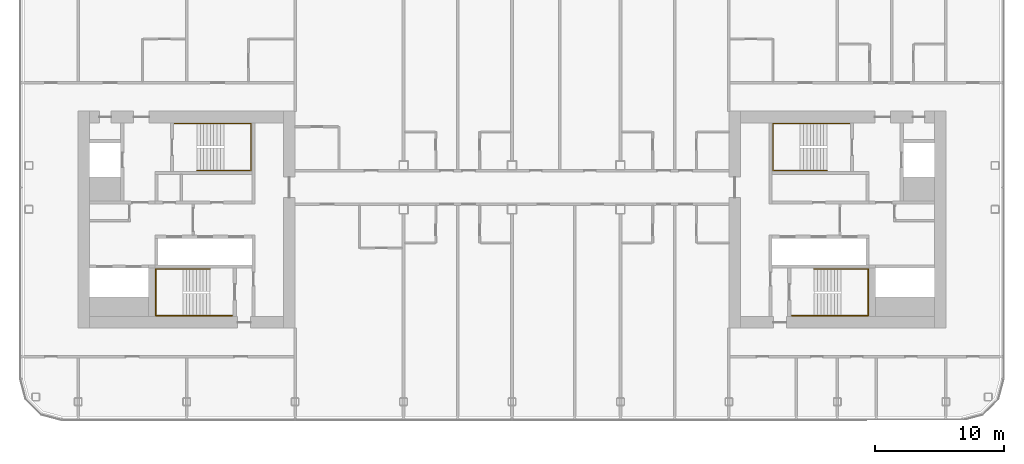
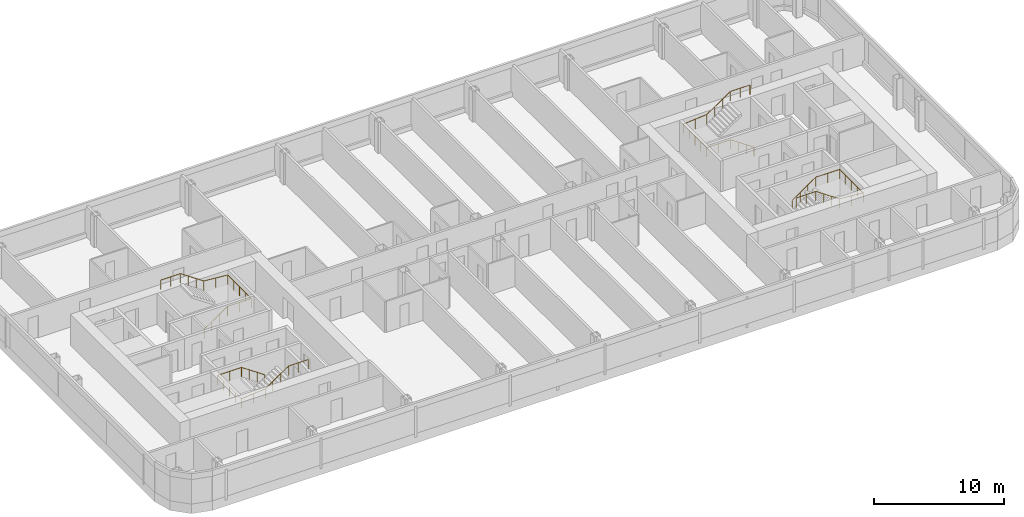
# One storey, part 26 of 26: 4 railings.
"""IFC4 building model written with IfcOpenShell, lengths in metres."""

from ifc_helpers import new_model, si_unit, direction, frame, origin, origin_2d, place, context, subcontext, project, spatial, circle, extrude, material, type_object, element, save


model = new_model("IFC4")

# Units and contexts
model_context = context("Model", 3, precision=1e-05, world=origin(), true_north=direction((0.0, 1.0)))
body_context = subcontext(model_context, "Body", "Model", "MODEL_VIEW")
ifc_project = project(units=[si_unit("LENGTHUNIT", "METRE"), si_unit("AREAUNIT", "SQUARE_METRE"), si_unit("VOLUMEUNIT", "CUBIC_METRE"), si_unit("PLANEANGLEUNIT", "RADIAN"), si_unit("MASSUNIT", "GRAM", prefix="KILO")], contexts=[model_context])

# Site, building, storey
site_placement = place(None, origin())
site = spatial("IfcSite", under=ifc_project, at=site_placement, CompositionType="ELEMENT")
building_placement = place(site_placement, origin())
building = spatial("IfcBuilding", under=site, at=building_placement, Name="Hakoniwa Tower and Hamabe Station Hall", CompositionType="ELEMENT")
storey_placement = place(building_placement, frame((0.0, 0.0, 225.0)))
storey = spatial("IfcBuildingStorey", under=building, at=storey_placement, Name="L64", CompositionType="ELEMENT", Elevation=225.0)

# Railings
ifc_material = material(Name="Stainless steel SUS304", Category="steel")
railing_type = type_object("IfcRailingType", Name="STAIR HANDRAIL 900", PredefinedType="HANDRAIL", material=ifc_material)
railing_1_placement = place(storey_placement, frame((-24.39990234375, 3.81005859375, 0.177734375)))
element("IfcRailing", 1, at=railing_1_placement, inside=storey, type_object=railing_type, Name="Handrail ST-1 L64 1", PredefinedType="HANDRAIL", context=body_context, shape_type="SweptSolid", body=[
    extrude(circle(Radius=0.02392578125, at=origin_2d()), frame((0.0, 0.0, 0.8759765625), z_axis=(0.825433201882, 0.0, 0.564499804456), x_axis=(0.0, 1.0, 0.0)), (0.0, 0.0, 1.0), 2.519775390625),
    extrude(circle(Radius=0.02392578125, at=origin_2d()), frame((2.079833984375, 0.0, 2.29833984375), z_axis=(1.0, 0.0, 0.0), x_axis=(0.0, 1.0, 0.0)), (0.0, 0.0, 1.0), 2.110107421875),
    extrude(circle(Radius=0.02392578125, at=origin_2d()), frame((4.18994140625, 0.0, 2.29833984375), z_axis=(0.0, 1.0, 0.0), x_axis=(-1.0, 0.0, 0.0)), (0.0, 0.0, 1.0), 3.6298828125),
    extrude(circle(Radius=0.02392578125, at=origin_2d()), frame((4.18994140625, 3.6298828125, 2.29833984375), z_axis=(-0.996471417081, 0.0, 0.083932800143), x_axis=(0.0, -1.0, 0.0)), (0.0, 0.0, 1.0), 2.11767578125),
    extrude(circle(Radius=0.02392578125, at=origin_2d()), frame((2.079833984375, 3.6298828125, 2.47607421875), z_axis=(-0.825478349766, 0.0, 0.564433781827), x_axis=(0.0, -1.0, 0.0)), (0.0, 0.0, 1.0), 2.51953125),
    extrude(circle(Radius=0.02392578125, at=origin_2d()), frame((0.0, 3.6298828125, 3.89794921875), z_axis=(-1.0, 0.0, 0.0), x_axis=(0.0, -1.0, 0.0)), (0.0, 0.0, 1.0), 1.739990234375),
    extrude(circle(Radius=0.02099609375, at=origin_2d()), origin(), (0.0, 0.0, 1.0), 0.851806640625),
    extrude(circle(Radius=0.02099609375, at=origin_2d()), frame((0.693359375, 0.0, 0.47412109375)), (0.0, 0.0, 1.0), 0.851806640625),
    extrude(circle(Radius=0.02099609375, at=origin_2d()), frame((1.386474609375, 0.0, 0.9482421875)), (0.0, 0.0, 1.0), 0.851806640625),
    extrude(circle(Radius=0.02099609375, at=origin_2d()), frame((2.079833984375, 0.0, 1.42236328125)), (0.0, 0.0, 1.0), 0.851806640625),
    extrude(circle(Radius=0.02099609375, at=origin_2d()), frame((3.134765625, 0.0, 1.42236328125)), (0.0, 0.0, 1.0), 0.851806640625),
    extrude(circle(Radius=0.02099609375, at=origin_2d()), frame((4.18994140625, 0.0, 1.42236328125)), (0.0, 0.0, 1.0), 0.851806640625),
    extrude(circle(Radius=0.02099609375, at=origin_2d()), frame((4.18994140625, 0.907470703125, 1.42236328125)), (0.0, 0.0, 1.0), 0.851806640625),
    extrude(circle(Radius=0.02099609375, at=origin_2d()), frame((4.18994140625, 1.81494140625, 1.42236328125)), (0.0, 0.0, 1.0), 0.851806640625),
    extrude(circle(Radius=0.02099609375, at=origin_2d()), frame((4.18994140625, 2.722412109375, 1.42236328125)), (0.0, 0.0, 1.0), 0.851806640625),
    extrude(circle(Radius=0.02099609375, at=origin_2d()), frame((4.18994140625, 3.6298828125, 1.42236328125)), (0.0, 0.0, 1.0), 0.851806640625),
    extrude(circle(Radius=0.02099609375, at=origin_2d()), frame((3.134765625, 3.6298828125, 1.51123046875)), (0.0, 0.0, 1.0), 0.851806640625),
    extrude(circle(Radius=0.02099609375, at=origin_2d()), frame((2.079833984375, 3.6298828125, 1.60009765625)), (0.0, 0.0, 1.0), 0.851806640625),
    extrude(circle(Radius=0.02099609375, at=origin_2d()), frame((1.386474609375, 3.6298828125, 2.07421875)), (0.0, 0.0, 1.0), 0.851806640625),
    extrude(circle(Radius=0.02099609375, at=origin_2d()), frame((0.693359375, 3.6298828125, 2.548095703125)), (0.0, 0.0, 1.0), 0.851806640625),
    extrude(circle(Radius=0.02099609375, at=origin_2d()), frame((0.0, 3.6298828125, 3.022216796875)), (0.0, 0.0, 1.0), 0.851806640625),
    extrude(circle(Radius=0.02099609375, at=origin_2d()), frame((-0.8701171875, 3.6298828125, 3.022216796875)), (0.0, 0.0, 1.0), 0.851806640625),
    extrude(circle(Radius=0.02099609375, at=origin_2d()), frame((-1.739990234375, 3.6298828125, 3.022216796875)), (0.0, 0.0, 1.0), 0.851806640625),
])
railing_2_placement = place(storey_placement, frame((-23.39990234375, -3.81005859375, 0.177734375)))
element("IfcRailing", 2, at=railing_2_placement, inside=storey, type_object=railing_type, Name="Handrail ST-2 L64 1", PredefinedType="HANDRAIL", context=body_context, shape_type="SweptSolid", body=[
    extrude(circle(Radius=0.02392578125, at=origin_2d()), frame((0.0, 0.0, 0.8759765625), z_axis=(-0.825464074169, 0.0, 0.564454659168), x_axis=(0.0, -1.0, 0.0)), (0.0, 0.0, 1.0), 2.519775390625),
    extrude(circle(Radius=0.02392578125, at=origin_2d()), frame((-2.080078125, 0.0, 2.29833984375), z_axis=(-1.0, 0.0, 0.0), x_axis=(0.0, -1.0, 0.0)), (0.0, 0.0, 1.0), 2.110107421875),
    extrude(circle(Radius=0.02392578125, at=origin_2d()), frame((-4.190185546875, 0.0, 2.29833984375), z_axis=(0.0, -1.0, 0.0), x_axis=(1.0, 0.0, 0.0)), (0.0, 0.0, 1.0), 3.6298828125),
    extrude(circle(Radius=0.02392578125, at=origin_2d()), frame((-4.190185546875, -3.6298828125, 2.29833984375), z_axis=(0.996471417081, 0.0, 0.083932800143), x_axis=(0.0, 1.0, 0.0)), (0.0, 0.0, 1.0), 2.11767578125),
    extrude(circle(Radius=0.02392578125, at=origin_2d()), frame((-2.080078125, -3.6298828125, 2.47607421875), z_axis=(0.82550921652, 0.0, 0.564388636881), x_axis=(0.0, 1.0, 0.0)), (0.0, 0.0, 1.0), 2.519775390625),
    extrude(circle(Radius=0.02392578125, at=origin_2d()), frame((0.0, -3.6298828125, 3.89794921875), z_axis=(1.0, 0.0, 0.0), x_axis=(0.0, 1.0, 0.0)), (0.0, 0.0, 1.0), 1.739990234375),
    extrude(circle(Radius=0.02099609375, at=origin_2d()), origin(), (0.0, 0.0, 1.0), 0.851806640625),
    extrude(circle(Radius=0.02099609375, at=origin_2d()), frame((-0.693359375, 0.0, 0.47412109375)), (0.0, 0.0, 1.0), 0.851806640625),
    extrude(circle(Radius=0.02099609375, at=origin_2d()), frame((-1.38671875, 0.0, 0.9482421875)), (0.0, 0.0, 1.0), 0.851806640625),
    extrude(circle(Radius=0.02099609375, at=origin_2d()), frame((-2.080078125, 0.0, 1.42236328125)), (0.0, 0.0, 1.0), 0.851806640625),
    extrude(circle(Radius=0.02099609375, at=origin_2d()), frame((-3.13525390625, 0.0, 1.42236328125)), (0.0, 0.0, 1.0), 0.851806640625),
    extrude(circle(Radius=0.02099609375, at=origin_2d()), frame((-4.190185546875, 0.0, 1.42236328125)), (0.0, 0.0, 1.0), 0.851806640625),
    extrude(circle(Radius=0.02099609375, at=origin_2d()), frame((-4.190185546875, -0.907470703125, 1.42236328125)), (0.0, 0.0, 1.0), 0.851806640625),
    extrude(circle(Radius=0.02099609375, at=origin_2d()), frame((-4.190185546875, -1.81494140625, 1.42236328125)), (0.0, 0.0, 1.0), 0.851806640625),
    extrude(circle(Radius=0.02099609375, at=origin_2d()), frame((-4.190185546875, -2.722412109375, 1.42236328125)), (0.0, 0.0, 1.0), 0.851806640625),
    extrude(circle(Radius=0.02099609375, at=origin_2d()), frame((-4.190185546875, -3.6298828125, 1.42236328125)), (0.0, 0.0, 1.0), 0.851806640625),
    extrude(circle(Radius=0.02099609375, at=origin_2d()), frame((-3.13525390625, -3.6298828125, 1.51123046875)), (0.0, 0.0, 1.0), 0.851806640625),
    extrude(circle(Radius=0.02099609375, at=origin_2d()), frame((-2.080078125, -3.6298828125, 1.60009765625)), (0.0, 0.0, 1.0), 0.851806640625),
    extrude(circle(Radius=0.02099609375, at=origin_2d()), frame((-1.38671875, -3.6298828125, 2.07421875)), (0.0, 0.0, 1.0), 0.851806640625),
    extrude(circle(Radius=0.02099609375, at=origin_2d()), frame((-0.693359375, -3.6298828125, 2.548095703125)), (0.0, 0.0, 1.0), 0.851806640625),
    extrude(circle(Radius=0.02099609375, at=origin_2d()), frame((0.0, -3.6298828125, 3.022216796875)), (0.0, 0.0, 1.0), 0.851806640625),
    extrude(circle(Radius=0.02099609375, at=origin_2d()), frame((0.8701171875, -3.6298828125, 3.022216796875)), (0.0, 0.0, 1.0), 0.851806640625),
    extrude(circle(Radius=0.02099609375, at=origin_2d()), frame((1.739990234375, -3.6298828125, 3.022216796875)), (0.0, 0.0, 1.0), 0.851806640625),
])
railing_3_placement = place(storey_placement, frame((24.39990234375, 3.81005859375, 0.177734375)))
element("IfcRailing", 3, at=railing_3_placement, inside=storey, type_object=railing_type, Name="Handrail ST-3 L64 1", PredefinedType="HANDRAIL", context=body_context, shape_type="SweptSolid", body=[
    extrude(circle(Radius=0.02392578125, at=origin_2d()), frame((0.0, 0.0, 0.8759765625), z_axis=(-0.825433201882, 0.0, 0.564499804456), x_axis=(0.0, -1.0, 0.0)), (0.0, 0.0, 1.0), 2.519775390625),
    extrude(circle(Radius=0.02392578125, at=origin_2d()), frame((-2.079833984375, 0.0, 2.29833984375), z_axis=(-1.0, 0.0, 0.0), x_axis=(0.0, -1.0, 0.0)), (0.0, 0.0, 1.0), 2.110107421875),
    extrude(circle(Radius=0.02392578125, at=origin_2d()), frame((-4.18994140625, 0.0, 2.29833984375), z_axis=(0.0, 1.0, 0.0), x_axis=(-1.0, 0.0, 0.0)), (0.0, 0.0, 1.0), 3.6298828125),
    extrude(circle(Radius=0.02392578125, at=origin_2d()), frame((-4.18994140625, 3.6298828125, 2.29833984375), z_axis=(0.996471417081, 0.0, 0.083932800143), x_axis=(0.0, 1.0, 0.0)), (0.0, 0.0, 1.0), 2.11767578125),
    extrude(circle(Radius=0.02392578125, at=origin_2d()), frame((-2.079833984375, 3.6298828125, 2.47607421875), z_axis=(0.825478349766, 0.0, 0.564433781827), x_axis=(0.0, 1.0, 0.0)), (0.0, 0.0, 1.0), 2.51953125),
    extrude(circle(Radius=0.02392578125, at=origin_2d()), frame((0.0, 3.6298828125, 3.89794921875), z_axis=(1.0, 0.0, 0.0), x_axis=(0.0, 1.0, 0.0)), (0.0, 0.0, 1.0), 1.739990234375),
    extrude(circle(Radius=0.02099609375, at=origin_2d()), origin(), (0.0, 0.0, 1.0), 0.851806640625),
    extrude(circle(Radius=0.02099609375, at=origin_2d()), frame((-0.693359375, 0.0, 0.47412109375)), (0.0, 0.0, 1.0), 0.851806640625),
    extrude(circle(Radius=0.02099609375, at=origin_2d()), frame((-1.386474609375, 0.0, 0.9482421875)), (0.0, 0.0, 1.0), 0.851806640625),
    extrude(circle(Radius=0.02099609375, at=origin_2d()), frame((-2.079833984375, 0.0, 1.42236328125)), (0.0, 0.0, 1.0), 0.851806640625),
    extrude(circle(Radius=0.02099609375, at=origin_2d()), frame((-3.134765625, 0.0, 1.42236328125)), (0.0, 0.0, 1.0), 0.851806640625),
    extrude(circle(Radius=0.02099609375, at=origin_2d()), frame((-4.18994140625, 0.0, 1.42236328125)), (0.0, 0.0, 1.0), 0.851806640625),
    extrude(circle(Radius=0.02099609375, at=origin_2d()), frame((-4.18994140625, 0.907470703125, 1.42236328125)), (0.0, 0.0, 1.0), 0.851806640625),
    extrude(circle(Radius=0.02099609375, at=origin_2d()), frame((-4.18994140625, 1.81494140625, 1.42236328125)), (0.0, 0.0, 1.0), 0.851806640625),
    extrude(circle(Radius=0.02099609375, at=origin_2d()), frame((-4.18994140625, 2.722412109375, 1.42236328125)), (0.0, 0.0, 1.0), 0.851806640625),
    extrude(circle(Radius=0.02099609375, at=origin_2d()), frame((-4.18994140625, 3.6298828125, 1.42236328125)), (0.0, 0.0, 1.0), 0.851806640625),
    extrude(circle(Radius=0.02099609375, at=origin_2d()), frame((-3.134765625, 3.6298828125, 1.51123046875)), (0.0, 0.0, 1.0), 0.851806640625),
    extrude(circle(Radius=0.02099609375, at=origin_2d()), frame((-2.079833984375, 3.6298828125, 1.60009765625)), (0.0, 0.0, 1.0), 0.851806640625),
    extrude(circle(Radius=0.02099609375, at=origin_2d()), frame((-1.386474609375, 3.6298828125, 2.07421875)), (0.0, 0.0, 1.0), 0.851806640625),
    extrude(circle(Radius=0.02099609375, at=origin_2d()), frame((-0.693359375, 3.6298828125, 2.548095703125)), (0.0, 0.0, 1.0), 0.851806640625),
    extrude(circle(Radius=0.02099609375, at=origin_2d()), frame((0.0, 3.6298828125, 3.022216796875)), (0.0, 0.0, 1.0), 0.851806640625),
    extrude(circle(Radius=0.02099609375, at=origin_2d()), frame((0.8701171875, 3.6298828125, 3.022216796875)), (0.0, 0.0, 1.0), 0.851806640625),
    extrude(circle(Radius=0.02099609375, at=origin_2d()), frame((1.739990234375, 3.6298828125, 3.022216796875)), (0.0, 0.0, 1.0), 0.851806640625),
])
railing_4_placement = place(storey_placement, frame((23.39990234375, -3.81005859375, 0.177734375)))
element("IfcRailing", 4, at=railing_4_placement, inside=storey, type_object=railing_type, Name="Handrail ST-4 L64 1", PredefinedType="HANDRAIL", context=body_context, shape_type="SweptSolid", body=[
    extrude(circle(Radius=0.02392578125, at=origin_2d()), frame((0.0, 0.0, 0.8759765625), z_axis=(0.825464074169, 0.0, 0.564454659168), x_axis=(0.0, 1.0, 0.0)), (0.0, 0.0, 1.0), 2.519775390625),
    extrude(circle(Radius=0.02392578125, at=origin_2d()), frame((2.080078125, 0.0, 2.29833984375), z_axis=(1.0, 0.0, 0.0), x_axis=(0.0, 1.0, 0.0)), (0.0, 0.0, 1.0), 2.110107421875),
    extrude(circle(Radius=0.02392578125, at=origin_2d()), frame((4.190185546875, 0.0, 2.29833984375), z_axis=(0.0, -1.0, 0.0), x_axis=(1.0, 0.0, 0.0)), (0.0, 0.0, 1.0), 3.6298828125),
    extrude(circle(Radius=0.02392578125, at=origin_2d()), frame((4.190185546875, -3.6298828125, 2.29833984375), z_axis=(-0.996471417081, 0.0, 0.083932800143), x_axis=(0.0, -1.0, 0.0)), (0.0, 0.0, 1.0), 2.11767578125),
    extrude(circle(Radius=0.02392578125, at=origin_2d()), frame((2.080078125, -3.6298828125, 2.47607421875), z_axis=(-0.82550921652, 0.0, 0.564388636881), x_axis=(0.0, -1.0, 0.0)), (0.0, 0.0, 1.0), 2.519775390625),
    extrude(circle(Radius=0.02392578125, at=origin_2d()), frame((0.0, -3.6298828125, 3.89794921875), z_axis=(-1.0, 0.0, 0.0), x_axis=(0.0, -1.0, 0.0)), (0.0, 0.0, 1.0), 1.739990234375),
    extrude(circle(Radius=0.02099609375, at=origin_2d()), origin(), (0.0, 0.0, 1.0), 0.851806640625),
    extrude(circle(Radius=0.02099609375, at=origin_2d()), frame((0.693359375, 0.0, 0.47412109375)), (0.0, 0.0, 1.0), 0.851806640625),
    extrude(circle(Radius=0.02099609375, at=origin_2d()), frame((1.38671875, 0.0, 0.9482421875)), (0.0, 0.0, 1.0), 0.851806640625),
    extrude(circle(Radius=0.02099609375, at=origin_2d()), frame((2.080078125, 0.0, 1.42236328125)), (0.0, 0.0, 1.0), 0.851806640625),
    extrude(circle(Radius=0.02099609375, at=origin_2d()), frame((3.13525390625, 0.0, 1.42236328125)), (0.0, 0.0, 1.0), 0.851806640625),
    extrude(circle(Radius=0.02099609375, at=origin_2d()), frame((4.190185546875, 0.0, 1.42236328125)), (0.0, 0.0, 1.0), 0.851806640625),
    extrude(circle(Radius=0.02099609375, at=origin_2d()), frame((4.190185546875, -0.907470703125, 1.42236328125)), (0.0, 0.0, 1.0), 0.851806640625),
    extrude(circle(Radius=0.02099609375, at=origin_2d()), frame((4.190185546875, -1.81494140625, 1.42236328125)), (0.0, 0.0, 1.0), 0.851806640625),
    extrude(circle(Radius=0.02099609375, at=origin_2d()), frame((4.190185546875, -2.722412109375, 1.42236328125)), (0.0, 0.0, 1.0), 0.851806640625),
    extrude(circle(Radius=0.02099609375, at=origin_2d()), frame((4.190185546875, -3.6298828125, 1.42236328125)), (0.0, 0.0, 1.0), 0.851806640625),
    extrude(circle(Radius=0.02099609375, at=origin_2d()), frame((3.13525390625, -3.6298828125, 1.51123046875)), (0.0, 0.0, 1.0), 0.851806640625),
    extrude(circle(Radius=0.02099609375, at=origin_2d()), frame((2.080078125, -3.6298828125, 1.60009765625)), (0.0, 0.0, 1.0), 0.851806640625),
    extrude(circle(Radius=0.02099609375, at=origin_2d()), frame((1.38671875, -3.6298828125, 2.07421875)), (0.0, 0.0, 1.0), 0.851806640625),
    extrude(circle(Radius=0.02099609375, at=origin_2d()), frame((0.693359375, -3.6298828125, 2.548095703125)), (0.0, 0.0, 1.0), 0.851806640625),
    extrude(circle(Radius=0.02099609375, at=origin_2d()), frame((0.0, -3.6298828125, 3.022216796875)), (0.0, 0.0, 1.0), 0.851806640625),
    extrude(circle(Radius=0.02099609375, at=origin_2d()), frame((-0.8701171875, -3.6298828125, 3.022216796875)), (0.0, 0.0, 1.0), 0.851806640625),
    extrude(circle(Radius=0.02099609375, at=origin_2d()), frame((-1.739990234375, -3.6298828125, 3.022216796875)), (0.0, 0.0, 1.0), 0.851806640625),
])

save(model, "model.ifc")
